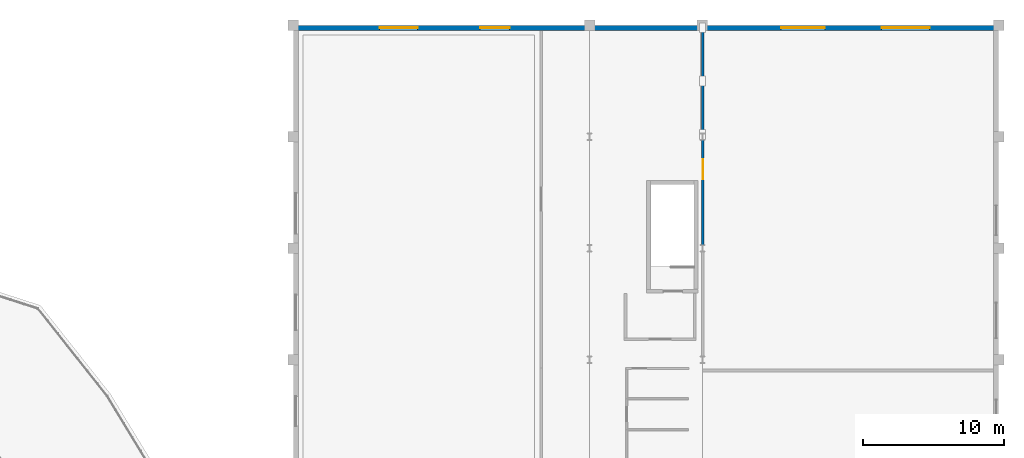
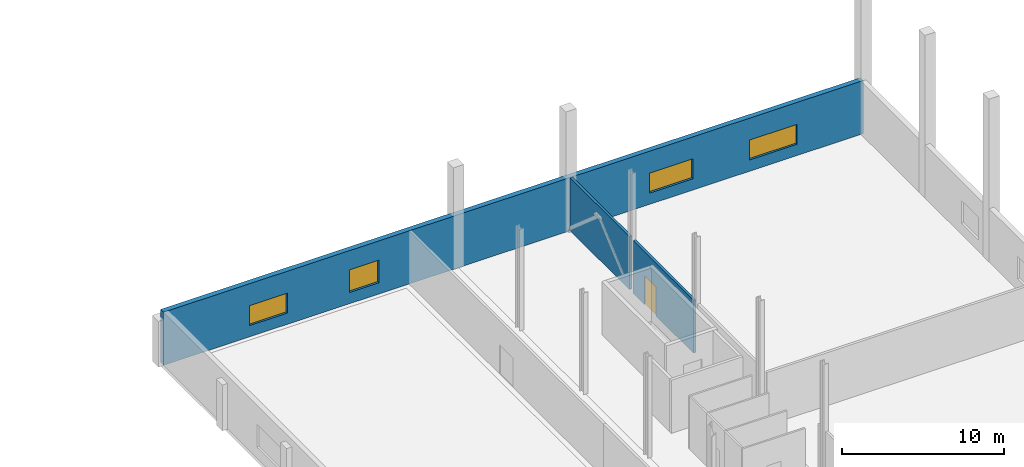
# One storey, part 39 of 59: 4 windows, 3 walls, 1 door, 5 openings.
"""IFC4 building model written with IfcOpenShell, lengths in metres."""

from ifc_helpers import new_model, si_unit, direction, frame, frame_2d, origin, place, context, subcontext, project, spatial, rectangle, extrude, material, layer, layer_set, type_object, element, fill, save


model = new_model("IFC4")

# Units and contexts
model_context = context("Model", 3, precision=1e-05, world=origin(), true_north=direction((0.0, 1.0)))
body_context = subcontext(model_context, "Body", "Model", "MODEL_VIEW")
ifc_project = project(units=[si_unit("LENGTHUNIT", "METRE"), si_unit("AREAUNIT", "SQUARE_METRE"), si_unit("VOLUMEUNIT", "CUBIC_METRE"), si_unit("PLANEANGLEUNIT", "RADIAN"), si_unit("MASSUNIT", "GRAM", prefix="KILO")], contexts=[model_context])

# Site, building, storey
site_placement = place(None, origin())
site = spatial("IfcSite", under=ifc_project, at=site_placement, CompositionType="ELEMENT")
building_placement = place(site_placement, origin())
building = spatial("IfcBuilding", under=site, at=building_placement, Name="Varnklinge Art Gallery", CompositionType="ELEMENT")
storey_placement = place(building_placement, frame((0.0, 0.0, 9.52001953125)))
storey = spatial("IfcBuildingStorey", under=building, at=storey_placement, Name="L02", CompositionType="ELEMENT", Elevation=9.52001953125)

# Wall, openings, windows
ifc_material_1 = material(Name="Concrete C40/50", Category="concrete")
ifc_layer_1 = layer(ifc_material_1, 0.360107421875)
ifc_layer_set_1 = layer_set([ifc_layer_1], Name="Concrete C40/50")
wall_type_1 = type_object("IfcWallType", Name="EW-36", PredefinedType="SOLIDWALL", material=ifc_layer_set_1)
wall_1_placement = place(storey_placement, frame((114.39990234375, 113.320068359375, 0.0), z_axis=(0.0, 0.0, 1.0), x_axis=(1.0, 0.0, 0.0)))
wall_1 = element("IfcWall", 1, at=wall_1_placement, inside=storey, type_object=wall_type_1, Name="L02 Exterior Wall EW-V1-L02-03", PredefinedType="SOLIDWALL", context=body_context, shape_type="SweptSolid", body=[
    extrude(rectangle(XDim=49.820068359375, YDim=0.360107421875, at=frame_2d((24.91015625, 0.0))), origin(), (0.0, 0.0, 1.0), 4.0),
])
opening_1_placement = place(wall_1_placement, frame((6.1171875, 0.0, 0.85009765625)))
opening_1 = element("IfcOpeningElement", 2, at=opening_1_placement, cuts=wall_1, Name="Opening WN-08", PredefinedType="OPENING", context=body_context, shape_type="SweptSolid", body=[
    extrude(rectangle(XDim=2.699951171875, YDim=1.5, at=frame_2d((1.35009765625, 0.75))), frame((0.0, 0.190185546875, 0.0), z_axis=(0.0, -1.0, 0.0), x_axis=(1.0, 0.0, 0.0)), (0.0, 0.0, 1.0), 0.380126953125),
])
opening_2_placement = place(wall_1_placement, frame((13.234375, 0.0, 0.85009765625)))
opening_2 = element("IfcOpeningElement", 3, at=opening_2_placement, cuts=wall_1, Name="Opening WN-12", PredefinedType="OPENING", context=body_context, shape_type="SweptSolid", body=[
    extrude(rectangle(XDim=2.10009765625, YDim=1.699951171875, at=frame_2d((1.050048828125, 0.85009765625))), frame((0.0, 0.190185546875, 0.0), z_axis=(0.0, -1.0, 0.0), x_axis=(1.0, 0.0, 0.0)), (0.0, 0.0, 1.0), 0.380126953125),
])
opening_3_placement = place(wall_1_placement, frame((34.585693359375, 0.0, 0.85009765625)))
opening_3 = element("IfcOpeningElement", 4, at=opening_3_placement, cuts=wall_1, Name="Opening WN-19", PredefinedType="OPENING", context=body_context, shape_type="SweptSolid", body=[
    extrude(rectangle(XDim=3.10009765625, YDim=1.5, at=frame_2d((1.550048828125, 0.75))), frame((0.0, 0.190185546875, 0.0), z_axis=(0.0, -1.0, 0.0), x_axis=(1.0, 0.0, 0.0)), (0.0, 0.0, 1.0), 0.380126953125),
])
opening_4_placement = place(wall_1_placement, frame((41.702880859375, 0.0, 0.85009765625)))
opening_4 = element("IfcOpeningElement", 5, at=opening_4_placement, cuts=wall_1, Name="Opening WN-20", PredefinedType="OPENING", context=body_context, shape_type="SweptSolid", body=[
    extrude(rectangle(XDim=3.39990234375, YDim=1.5, at=frame_2d((1.699951171875, 0.75))), frame((0.0, 0.190185546875, 0.0), z_axis=(0.0, -1.0, 0.0), x_axis=(1.0, 0.0, 0.0)), (0.0, 0.0, 1.0), 0.380126953125),
])
ifc_material_2 = material(Name="Insulated Low-E Triple Glazing", Category="glass")
window_type_1 = type_object("IfcWindowType", Name="WN-08", PartitioningType="SINGLE_PANEL", PredefinedType="WINDOW", material=ifc_material_2)
window_1_placement = place(opening_1_placement, origin())
window_1 = element("IfcWindow", 6, at=window_1_placement, inside=storey, type_object=window_type_1, Name="L02 Window WIN-L02-032", OverallHeight=1.5, OverallWidth=2.699951171875, PartitioningType="SINGLE_PANEL", PredefinedType="WINDOW", context=body_context, shape_type="SweptSolid", body=[
    extrude(rectangle(XDim=2.699951171875, YDim=1.5, at=frame_2d((1.35009765625, 0.75))), frame((0.0, 0.030029296875, 0.0), z_axis=(0.0, -1.0, 0.0), x_axis=(1.0, 0.0, 0.0)), (0.0, 0.0, 1.0), 0.06005859375),
])
fill(opening_1, window_1)
ifc_material_3 = material(Name="Insulated Low-E Triple Glazing", Category="glass")
window_type_2 = type_object("IfcWindowType", Name="WN-12", PartitioningType="SINGLE_PANEL", PredefinedType="WINDOW", material=ifc_material_3)
window_2_placement = place(opening_2_placement, origin())
window_2 = element("IfcWindow", 7, at=window_2_placement, inside=storey, type_object=window_type_2, Name="L02 Window WIN-L02-033", OverallHeight=1.699951171875, OverallWidth=2.10009765625, PartitioningType="SINGLE_PANEL", PredefinedType="WINDOW", context=body_context, shape_type="SweptSolid", body=[
    extrude(rectangle(XDim=2.10009765625, YDim=1.699951171875, at=frame_2d((1.050048828125, 0.85009765625))), frame((0.0, 0.030029296875, 0.0), z_axis=(0.0, -1.0, 0.0), x_axis=(1.0, 0.0, 0.0)), (0.0, 0.0, 1.0), 0.06005859375),
])
fill(opening_2, window_2)
ifc_material_4 = material(Name="Insulated Low-E Triple Glazing", Category="glass")
window_type_3 = type_object("IfcWindowType", Name="WN-19", PartitioningType="SINGLE_PANEL", PredefinedType="WINDOW", material=ifc_material_4)
window_3_placement = place(opening_3_placement, origin())
window_3 = element("IfcWindow", 8, at=window_3_placement, inside=storey, type_object=window_type_3, Name="L02 Window WIN-L02-034", OverallHeight=1.5, OverallWidth=3.10009765625, PartitioningType="SINGLE_PANEL", PredefinedType="WINDOW", context=body_context, shape_type="SweptSolid", body=[
    extrude(rectangle(XDim=3.10009765625, YDim=1.5, at=frame_2d((1.550048828125, 0.75))), frame((0.0, 0.030029296875, 0.0), z_axis=(0.0, -1.0, 0.0), x_axis=(1.0, 0.0, 0.0)), (0.0, 0.0, 1.0), 0.06005859375),
])
fill(opening_3, window_3)
ifc_material_5 = material(Name="Insulated Low-E Triple Glazing", Category="glass")
window_type_4 = type_object("IfcWindowType", Name="WN-20", PartitioningType="SINGLE_PANEL", PredefinedType="WINDOW", material=ifc_material_5)
window_4_placement = place(opening_4_placement, origin())
window_4 = element("IfcWindow", 9, at=window_4_placement, inside=storey, type_object=window_type_4, Name="L02 Window WIN-L02-035", OverallHeight=1.5, OverallWidth=3.39990234375, PartitioningType="SINGLE_PANEL", PredefinedType="WINDOW", context=body_context, shape_type="SweptSolid", body=[
    extrude(rectangle(XDim=3.39990234375, YDim=1.5, at=frame_2d((1.699951171875, 0.75))), frame((0.0, 0.030029296875, 0.0), z_axis=(0.0, -1.0, 0.0), x_axis=(1.0, 0.0, 0.0)), (0.0, 0.0, 1.0), 0.06005859375),
])
fill(opening_4, window_4)

# Wall, opening, door
ifc_material_6 = material(Name="Gypsum Board Partition", Category="gypsum")
ifc_layer_2 = layer(ifc_material_6, 0.179931640625)
ifc_layer_set_2 = layer_set([ifc_layer_2], Name="Gypsum Board Partition")
wall_type_2 = type_object("IfcWallType", Name="IW-18", PredefinedType="PARTITIONING", material=ifc_layer_set_2)
wall_2_placement = place(storey_placement, frame((143.429931640625, 105.362060546875, 0.0), z_axis=(0.0, 0.0, 1.0), x_axis=(0.0, -1.0, 0.0)))
wall_2 = element("IfcWall", 10, at=wall_2_placement, inside=storey, type_object=wall_type_2, Name="L02 Partition Wall IW-L02-0273", PredefinedType="PARTITIONING", context=body_context, shape_type="SweptSolid", body=[
    extrude(rectangle(XDim=7.424072265625, YDim=0.179931640625, at=frame_2d((3.7119140625, 0.0))), origin(), (0.0, 0.0, 1.0), 3.989990234375),
])
opening_5_placement = place(wall_2_placement, frame((1.368896484375, 0.0, 0.0)))
opening_5 = element("IfcOpeningElement", 11, at=opening_5_placement, cuts=wall_2, Name="Opening D-L02-225", PredefinedType="OPENING", context=body_context, shape_type="SweptSolid", body=[
    extrude(rectangle(XDim=1.419921875, YDim=2.179931640625, at=frame_2d((0.7099609375, 1.08984375))), frame((0.0, 0.099853515625, 0.0), z_axis=(0.0, -1.0, 0.0), x_axis=(1.0, 0.0, 0.0)), (0.0, 0.0, 1.0), 0.199951171875),
])
ifc_material_7 = material(Name="Oak Timber Leaf", Category="wood")
door_type = type_object("IfcDoorType", Name="ID-07", OperationType="DOUBLE_DOOR_SINGLE_SWING", PredefinedType="DOOR", material=ifc_material_7)
door_placement = place(opening_5_placement, origin())
door = element("IfcDoor", 12, at=door_placement, inside=storey, type_object=door_type, Name="L02 L02 Top-Lit Contemporary Shell Gallery East Door D-L02-225", OperationType="DOUBLE_DOOR_SINGLE_SWING", OverallHeight=2.179931640625, OverallWidth=1.419921875, PredefinedType="DOOR", context=body_context, shape_type="SweptSolid", body=[
    extrude(rectangle(XDim=1.419921875, YDim=2.179931640625, at=frame_2d((0.7099609375, 1.08984375))), frame((0.0, 0.02490234375, 0.0), z_axis=(0.0, -1.0, 0.0), x_axis=(1.0, 0.0, 0.0)), (0.0, 0.0, 1.0), 0.050048828125),
])
fill(opening_5, door)

# Wall
wall_3_placement = place(storey_placement, frame((143.429931640625, 113.135986328125, 0.0), z_axis=(0.0, 0.0, 1.0), x_axis=(0.0, -1.0, 0.0)))
element("IfcWall", 13, at=wall_3_placement, inside=storey, type_object=wall_type_2, Name="L02 Partition Wall IW-L02-0274", PredefinedType="PARTITIONING", context=body_context, shape_type="SweptSolid", body=[
    extrude(rectangle(XDim=7.298095703125, YDim=0.179931640625, at=frame_2d((3.64892578125, 0.0))), origin(), (0.0, 0.0, 1.0), 3.989990234375),
])

save(model, "model.ifc")
